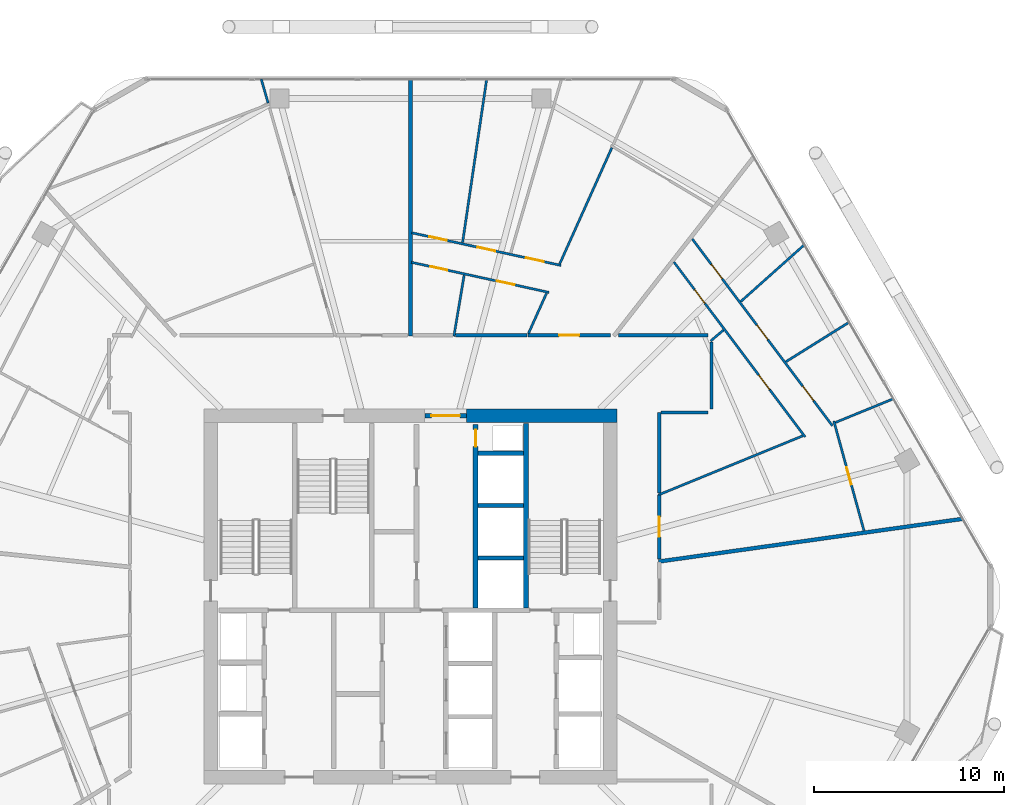
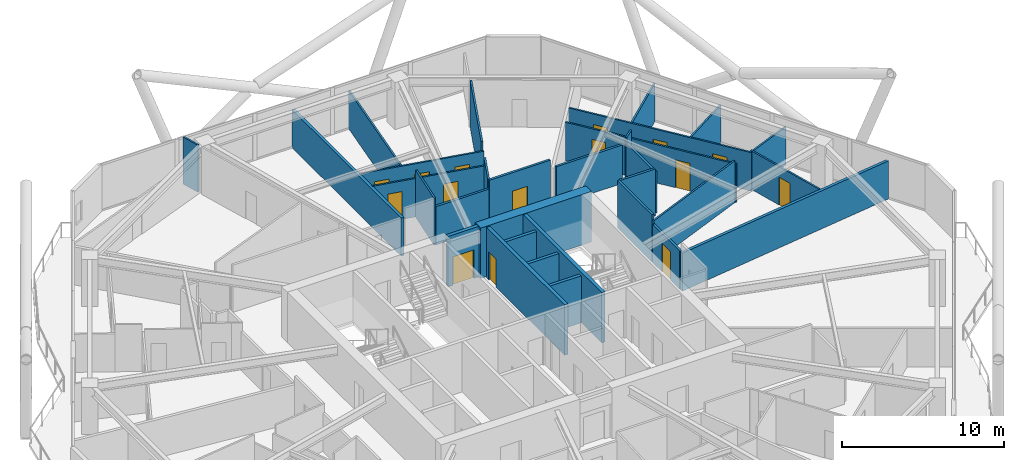
# One storey, part 24 of 28: 31 walls, 15 doors, 15 openings.
"""IFC4 building model written with IfcOpenShell, lengths in metres."""

from ifc_helpers import new_model, si_unit, direction, frame, frame_2d, origin, place, context, subcontext, project, spatial, rectangle, extrude, material, layer, layer_set, type_object, element, fill, save


model = new_model("IFC4")

# Units and contexts
model_context = context("Model", 3, precision=1e-05, world=origin(), true_north=direction((0.0, 1.0)))
body_context = subcontext(model_context, "Body", "Model", "MODEL_VIEW")
ifc_project = project(units=[si_unit("LENGTHUNIT", "METRE"), si_unit("AREAUNIT", "SQUARE_METRE"), si_unit("VOLUMEUNIT", "CUBIC_METRE"), si_unit("PLANEANGLEUNIT", "RADIAN"), si_unit("MASSUNIT", "GRAM", prefix="KILO")], contexts=[model_context])

# Site, building, storey
site_placement = place(None, origin())
site = spatial("IfcSite", under=ifc_project, at=site_placement, CompositionType="ELEMENT")
building_placement = place(site_placement, origin())
building = spatial("IfcBuilding", under=site, at=building_placement, Name="Zuhravey Tower", CompositionType="ELEMENT")
storey_placement = place(building_placement, frame((0.0, 0.0, 154.199951171875)))
storey = spatial("IfcBuildingStorey", under=building, at=storey_placement, Name="L38", CompositionType="ELEMENT", Elevation=154.199951171875)

# Wall
ifc_material_1 = material(Name="Concrete C60/75", Category="concrete")
ifc_layer_1 = layer(ifc_material_1, 0.699951171875)
ifc_layer_set_1 = layer_set([ifc_layer_1], Name="Concrete C60/75")
wall_type_1 = type_object("IfcWallType", Name="Core Shear Wall 700", PredefinedType="SHEAR", material=ifc_layer_set_1)
wall_1_placement = place(storey_placement, frame((46.85009765625, 41.5, 0.0), z_axis=(0.0, 0.0, 1.0), x_axis=(-1.0, 0.0, 0.0)))
element("IfcWall", 1, at=wall_1_placement, inside=storey, type_object=wall_type_1, Name="L38 North-East Core Shear Wall CW70", PredefinedType="SHEAR", context=body_context, shape_type="SweptSolid", body=[
    extrude(rectangle(XDim=7.900146484375, YDim=0.699951171875, at=frame_2d((3.9501953125, 0.0))), origin(), (0.0, 0.0, 1.0), 3.800048828125),
])

# Wall, opening, door
ifc_material_2 = material(Name="Gypsum fire-rated stud partition")
ifc_layer_2 = layer(ifc_material_2, 0.159912109375)
ifc_layer_set_2 = layer_set([ifc_layer_2], Name="Gypsum fire-rated stud partition")
wall_type_2 = type_object("IfcWallType", Name="Corridor Fire Partition 160", PredefinedType="PARTITIONING", material=ifc_layer_set_2)
wall_2_placement = place(storey_placement, frame((49.080078125, 33.97509765625, 0.0), z_axis=(0.0, 0.0, 1.0), x_axis=(0.0, 1.0, 0.0)))
wall_2 = element("IfcWall", 2, at=wall_2_placement, inside=storey, type_object=wall_type_2, Name="L38 IW16 Partition 023", PredefinedType="PARTITIONING", context=body_context, shape_type="SweptSolid", body=[
    extrude(rectangle(XDim=3.357177734375, YDim=0.159912109375, at=frame_2d((1.6787109375, 0.0))), origin(), (0.0, 0.0, 1.0), 2.900146484375),
])
opening_1_placement = place(wall_2_placement, frame((1.153564453125, 0.0, 0.0)))
opening_1 = element("IfcOpeningElement", 3, at=opening_1_placement, cuts=wall_2, Name="Opening APD1", PredefinedType="OPENING", context=body_context, shape_type="SweptSolid", body=[
    extrude(rectangle(XDim=1.050048828125, YDim=2.14990234375, at=frame_2d((0.52490234375, 1.074951171875))), frame((0.0, 0.092041015625, 0.0), z_axis=(0.0, -1.0, 0.0), x_axis=(1.0, 0.0, 0.0)), (0.0, 0.0, 1.0), 0.183837890625),
])
ifc_material_3 = material(Name="Solid-core oak fire-rated leaf")
door_type_1 = type_object("IfcDoorType", Name="Apartment Entrance Fire Door 1050x2150", OperationType="NOTDEFINED", PredefinedType="DOOR", material=ifc_material_3)
door_1_placement = place(opening_1_placement, frame((1.050048828125, 0.0, 0.0), z_axis=(0.0, 0.0, 1.0), x_axis=(-1.0, 0.0, 0.0)))
door_1 = element("IfcDoor", 4, at=door_1_placement, inside=storey, type_object=door_type_1, Name="L38 Door 023.1", OperationType="SINGLE_SWING_RIGHT", OverallHeight=2.14990234375, OverallWidth=1.050048828125, PredefinedType="DOOR", context=body_context, shape_type="SweptSolid", body=[
    extrude(rectangle(XDim=1.050048828125, YDim=2.14990234375, at=frame_2d((0.52490234375, 1.074951171875))), frame((0.0, 0.02490234375, 0.0), z_axis=(0.0, -1.0, 0.0), x_axis=(1.0, 0.0, 0.0)), (0.0, 0.0, 1.0), 0.050048828125),
])
fill(opening_1, door_1)

wall_3_placement = place(storey_placement, frame((46.51025390625, 45.72998046875, 0.0), z_axis=(0.0, 0.0, 1.0), x_axis=(-1.0, 0.0, 0.0)))
wall_3 = element("IfcWall", 5, at=wall_3_placement, inside=storey, type_object=wall_type_2, Name="L38 IW16 Partition 027", PredefinedType="PARTITIONING", context=body_context, shape_type="SweptSolid", body=[
    extrude(rectangle(XDim=4.323486328125, YDim=0.159912109375, at=frame_2d((2.16162109375, 0.0))), origin(), (0.0, 0.0, 1.0), 3.550048828125),
])
opening_2_placement = place(wall_3_placement, frame((1.63671875, 0.0, 0.0)))
opening_2 = element("IfcOpeningElement", 6, at=opening_2_placement, cuts=wall_3, Name="Opening APD1", PredefinedType="OPENING", context=body_context, shape_type="SweptSolid", body=[
    extrude(rectangle(XDim=1.050048828125, YDim=2.14990234375, at=frame_2d((0.52490234375, 1.074951171875))), frame((0.0, 0.092041015625, 0.0), z_axis=(0.0, -1.0, 0.0), x_axis=(1.0, 0.0, 0.0)), (0.0, 0.0, 1.0), 0.183837890625),
])
door_2_placement = place(opening_2_placement, frame((1.050048828125, 0.0, 0.0), z_axis=(0.0, 0.0, 1.0), x_axis=(-1.0, 0.0, 0.0)))
door_2 = element("IfcDoor", 7, at=door_2_placement, inside=storey, type_object=door_type_1, Name="L38 Door 027.1", OperationType="SINGLE_SWING_LEFT", OverallHeight=2.14990234375, OverallWidth=1.050048828125, PredefinedType="DOOR", context=body_context, shape_type="SweptSolid", body=[
    extrude(rectangle(XDim=1.050048828125, YDim=2.14990234375, at=frame_2d((0.52490234375, 1.074951171875))), frame((0.0, 0.02490234375, 0.0), z_axis=(0.0, -1.0, 0.0), x_axis=(1.0, 0.0, 0.0)), (0.0, 0.0, 1.0), 0.050048828125),
])
fill(opening_2, door_2)

# Walls
wall_4_placement = place(storey_placement, frame((49.080078125, 37.42724609375, 0.0), z_axis=(0.0, 0.0, 1.0), x_axis=(0.0, 1.0, 0.0)))
element("IfcWall", 8, at=wall_4_placement, inside=storey, type_object=wall_type_2, Name="L38 IW16 Partition 111", PredefinedType="PARTITIONING", context=body_context, shape_type="SweptSolid", body=[
    extrude(rectangle(XDim=4.24267578125, YDim=0.159912109375, at=frame_2d((2.121337890625, 0.0))), origin(), (0.0, 0.0, 1.0), 3.550048828125),
])
wall_5_placement = place(storey_placement, frame((51.830078125, 41.85009765625, 0.0), z_axis=(0.0, 0.0, 1.0), x_axis=(0.0, 1.0, 0.0)))
element("IfcWall", 9, at=wall_5_placement, inside=storey, type_object=wall_type_2, Name="L38 IW16 Partition 112", PredefinedType="PARTITIONING", context=body_context, shape_type="SweptSolid", body=[
    extrude(rectangle(XDim=3.527587890625, YDim=0.159912109375, at=frame_2d((1.763671875, 0.0))), origin(), (0.0, 0.0, 1.0), 3.150146484375),
])
wall_6_placement = place(storey_placement, frame((49.16796875, 41.669921875, 0.0), z_axis=(0.0, 0.0, 1.0), x_axis=(1.0, 0.0, 0.0)))
element("IfcWall", 10, at=wall_6_placement, inside=storey, type_object=wall_type_2, Name="L38 IW16 Partition 113", PredefinedType="PARTITIONING", context=body_context, shape_type="SweptSolid", body=[
    extrude(rectangle(XDim=2.48193359375, YDim=0.159912109375, at=frame_2d((1.240966796875, 0.0))), origin(), (0.0, 0.0, 1.0), 3.550048828125),
])
wall_7_placement = place(storey_placement, frame((51.64990234375, 45.72998046875, 0.0), z_axis=(0.0, 0.0, 1.0), x_axis=(-1.0, 0.0, 0.0)))
element("IfcWall", 11, at=wall_7_placement, inside=storey, type_object=wall_type_2, Name="L38 IW16 Partition 114", PredefinedType="PARTITIONING", context=body_context, shape_type="SweptSolid", body=[
    extrude(rectangle(XDim=4.702880859375, YDim=0.159912109375, at=frame_2d((2.3515625, 0.0))), origin(), (0.0, 0.0, 1.0), 2.900146484375),
])
wall_8_placement = place(storey_placement, frame((42.142822265625, 45.72998046875, 0.0), z_axis=(0.0, 0.0, 1.0), x_axis=(-1.0, 0.0, 0.0)))
element("IfcWall", 12, at=wall_8_placement, inside=storey, type_object=wall_type_2, Name="L38 IW16 Partition 115", PredefinedType="PARTITIONING", context=body_context, shape_type="SweptSolid", body=[
    extrude(rectangle(XDim=3.776611328125, YDim=0.159912109375, at=frame_2d((1.88818359375, 0.0))), origin(), (0.0, 0.0, 1.0), 2.900146484375),
])

# Wall, opening, door
ifc_material_4 = material(Name="Concrete C50/60", Category="concrete")
ifc_layer_3 = layer(ifc_material_4, 0.25)
ifc_layer_set_3 = layer_set([ifc_layer_3], Name="Concrete C50/60")
wall_type_3 = type_object("IfcWallType", Name="Firefighting Shaft & Stair Wall 250", PredefinedType="SOLIDWALL", material=ifc_layer_set_3)
wall_9_placement = place(storey_placement, frame((36.760009765625, 41.5, 0.0), z_axis=(0.0, 0.0, 1.0), x_axis=(1.0, 0.0, 0.0)))
wall_9 = element("IfcWall", 13, at=wall_9_placement, inside=storey, type_object=wall_type_3, Name="L38 FW25 Shaft Wall 002", PredefinedType="SOLIDWALL", context=body_context, shape_type="SweptSolid", body=[
    extrude(rectangle(XDim=2.179931640625, YDim=0.25, at=frame_2d((1.08984375, 0.0))), origin(), (0.0, 0.0, 1.0), 3.800048828125),
])
opening_3_placement = place(wall_9_placement, frame((0.340087890625, 0.0, 0.0)))
opening_3 = element("IfcOpeningElement", 14, at=opening_3_placement, cuts=wall_9, Name="Opening FFD1", PredefinedType="OPENING", context=body_context, shape_type="SweptSolid", body=[
    extrude(rectangle(XDim=1.5, YDim=2.14990234375, at=frame_2d((0.75, 1.074951171875))), frame((0.0, 0.136962890625, 0.0), z_axis=(0.0, -1.0, 0.0), x_axis=(1.0, 0.0, 0.0)), (0.0, 0.0, 1.0), 0.27392578125),
])
ifc_material_5 = material(Name="Galvanised fire-rated steel leaf", Category="steel")
door_type_2 = type_object("IfcDoorType", Name="Firefighting Lobby Double Door 1500x2150", OperationType="DOUBLE_DOOR_SINGLE_SWING", PredefinedType="DOOR", material=ifc_material_5)
door_3_placement = place(opening_3_placement, origin())
door_3 = element("IfcDoor", 15, at=door_3_placement, inside=storey, type_object=door_type_2, Name="L38 North Lift Lobby Exit Door", OperationType="DOUBLE_DOOR_SINGLE_SWING", OverallHeight=2.14990234375, OverallWidth=1.5, PredefinedType="DOOR", context=body_context, shape_type="SweptSolid", body=[
    extrude(rectangle(XDim=1.5, YDim=2.14990234375, at=frame_2d((0.75, 1.074951171875))), frame((0.0, 0.02490234375, 0.0), z_axis=(0.0, -1.0, 0.0), x_axis=(1.0, 0.0, 0.0)), (0.0, 0.0, 1.0), 0.050048828125),
])
fill(opening_3, door_3)

# Wall
wall_10_placement = place(storey_placement, frame((42.074951171875, 31.39990234375, 0.0), z_axis=(0.0, 0.0, 1.0), x_axis=(0.0, 1.0, 0.0)))
element("IfcWall", 16, at=wall_10_placement, inside=storey, type_object=wall_type_3, Name="L38 FW25 Shaft Wall 006", PredefinedType="SOLIDWALL", context=body_context, shape_type="SweptSolid", body=[
    extrude(rectangle(XDim=9.7001953125, YDim=0.25, at=frame_2d((4.85009765625, 0.0))), origin(), (0.0, 0.0, 1.0), 3.800048828125),
])

# Wall, opening, door
wall_11_placement = place(storey_placement, frame((39.425048828125, 31.39990234375, 0.0), z_axis=(0.0, 0.0, 1.0), x_axis=(0.0, 1.0, 0.0)))
wall_11 = element("IfcWall", 17, at=wall_11_placement, inside=storey, type_object=wall_type_3, Name="L38 FW25 Shaft Wall 008", PredefinedType="SOLIDWALL", context=body_context, shape_type="SweptSolid", body=[
    extrude(rectangle(XDim=9.650146484375, YDim=0.25, at=frame_2d((4.8251953125, 0.0))), origin(), (0.0, 0.0, 1.0), 3.800048828125),
])
opening_4_placement = place(wall_11_placement, frame((8.469970703125, 0.0, 0.0)))
opening_4 = element("IfcOpeningElement", 18, at=opening_4_placement, cuts=wall_11, Name="Opening RSD1", PredefinedType="OPENING", context=body_context, shape_type="SweptSolid", body=[
    extrude(rectangle(XDim=0.89990234375, YDim=2.10009765625, at=frame_2d((0.449951171875, 1.050048828125))), frame((0.0, 0.136962890625, 0.0), z_axis=(0.0, -1.0, 0.0), x_axis=(1.0, 0.0, 0.0)), (0.0, 0.0, 1.0), 0.27392578125),
])
ifc_material_6 = material(Name="Galvanised fire-rated steel access leaf", Category="steel")
door_type_3 = type_object("IfcDoorType", Name="Riser & Shaft Access Fire Door 900x2100", OperationType="NOTDEFINED", PredefinedType="DOOR", material=ifc_material_6)
door_4_placement = place(opening_4_placement, origin())
door_4 = element("IfcDoor", 19, at=door_4_placement, inside=storey, type_object=door_type_3, Name="L38 North Riser Door", OperationType="SINGLE_SWING_RIGHT", OverallHeight=2.10009765625, OverallWidth=0.89990234375, PredefinedType="DOOR", context=body_context, shape_type="SweptSolid", body=[
    extrude(rectangle(XDim=0.89990234375, YDim=2.10009765625, at=frame_2d((0.449951171875, 1.050048828125))), frame((0.0, 0.02490234375, 0.0), z_axis=(0.0, -1.0, 0.0), x_axis=(1.0, 0.0, 0.0)), (0.0, 0.0, 1.0), 0.050048828125),
])
fill(opening_4, door_4)

# Walls
ifc_material_7 = material(Name="Gypsum double-stud party assembly")
ifc_layer_4 = layer(ifc_material_7, 0.199951171875)
ifc_layer_set_4 = layer_set([ifc_layer_4], Name="Gypsum double-stud party assembly")
wall_type_4 = type_object("IfcWallType", Name="Inter-Tenancy Party Wall 200", PredefinedType="PARTITIONING", material=ifc_layer_set_4)
wall_12_placement = place(storey_placement, frame((49.0400390625, 33.832763671875, 0.0), z_axis=(0.0, 0.0, 1.0), x_axis=(0.990268626923, 0.139169129232, 0.0)))
element("IfcWall", 20, at=wall_12_placement, inside=storey, type_object=wall_type_4, Name="L38 IW20 Partition 062", PredefinedType="PARTITIONING", context=body_context, shape_type="SweptSolid", body=[
    extrude(rectangle(XDim=16.14990234375, YDim=0.199951171875, at=frame_2d((8.074951171875, 0.0))), origin(), (0.0, 0.0, 1.0), 2.8701171875),
])
wall_13_placement = place(storey_placement, frame((36.0, 45.68994140625, 0.0), z_axis=(0.0, 0.0, 1.0), x_axis=(0.0, 1.0, 0.0)))
element("IfcWall", 21, at=wall_13_placement, inside=storey, type_object=wall_type_4, Name="L38 IW20 Partition 075", PredefinedType="PARTITIONING", context=body_context, shape_type="SweptSolid", body=[
    extrude(rectangle(XDim=13.4931640625, YDim=0.199951171875, at=frame_2d((6.74658203125, 0.0))), origin(), (0.0, 0.0, 1.0), 2.8701171875),
])
ifc_material_8 = material(Name="Gypsum acoustic stud assembly")
ifc_layer_5 = layer(ifc_material_8, 0.219970703125)
ifc_layer_set_5 = layer_set([ifc_layer_5], Name="Gypsum acoustic stud assembly")
wall_type_5 = type_object("IfcWallType", Name="School Acoustic Compartment Wall 220", PredefinedType="PARTITIONING", material=ifc_layer_set_5)
for number, where, z_axis, x_axis, name in (
    (22, (39.55810546875, 34.02490234375, 0.0), (0.0, 0.0, 1.0), (1.0, 0.0, 0.0), "L38 IW22 Partition 057"),
    (23, (39.55810546875, 36.77490234375, 0.0), (0.0, 0.0, 1.0), (1.0, 0.0, 0.0), "L38 IW22 Partition 058"),
    (24, (39.55810546875, 39.52490234375, 0.0), (0.0, 0.0, 1.0), (1.0, 0.0, 0.0), "L38 IW22 Partition 059"),
):
    element("IfcWall", number, at=place(storey_placement, frame(where, z_axis=z_axis, x_axis=x_axis)), inside=storey, type_object=wall_type_5, Name=name, PredefinedType="PARTITIONING", context=body_context, shape_type="SweptSolid", body=[
        extrude(rectangle(XDim=2.3837890625, YDim=0.219970703125, at=frame_2d((1.19189453125, 0.0))), origin(), (0.0, 0.0, 1.0), 3.550048828125),
    ])

# Wall, opening, door
ifc_material_9 = material(Name="Gypsum metal-stud partition")
ifc_layer_6 = layer(ifc_material_9, 0.1201171875)
ifc_layer_set_6 = layer_set([ifc_layer_6], Name="Gypsum metal-stud partition")
wall_type_6 = type_object("IfcWallType", Name="Unit Internal Partition 120", PredefinedType="PARTITIONING", material=ifc_layer_set_6)
wall_14_placement = place(storey_placement, frame((59.840087890625, 35.4619140625, 0.0), z_axis=(0.0, 0.0, 1.0), x_axis=(-0.265206859365, 0.964191537894, 0.0)))
wall_14 = element("IfcWall", 25, at=wall_14_placement, inside=storey, type_object=wall_type_6, Name="L38 IW12 Partition 020", PredefinedType="PARTITIONING", context=body_context, shape_type="SweptSolid", body=[
    extrude(rectangle(XDim=5.969970703125, YDim=0.1201171875, at=frame_2d((2.98486328125, 0.0))), origin(), (0.0, 0.0, 1.0), 2.900146484375),
])
opening_5_placement = place(wall_14_placement, frame((2.510009765625, 0.0, 0.0)))
opening_5 = element("IfcOpeningElement", 26, at=opening_5_placement, cuts=wall_14, Name="Opening IND1", PredefinedType="OPENING", context=body_context, shape_type="SweptSolid", body=[
    extrude(rectangle(XDim=0.949951171875, YDim=2.10009765625, at=frame_2d((0.47509765625, 1.050048828125))), frame((0.0, 0.072021484375, 0.0), z_axis=(0.0, -1.0, 0.0), x_axis=(1.0, 0.0, 0.0)), (0.0, 0.0, 1.0), 0.14404296875),
])
ifc_material_10 = material(Name="Painted engineered timber leaf", Category="wood")
door_type_4 = type_object("IfcDoorType", Name="Internal Room & Bedroom Door 950x2100", OperationType="NOTDEFINED", PredefinedType="DOOR", material=ifc_material_10)
door_5_placement = place(opening_5_placement, frame((0.949951171875, 0.0, 0.0), z_axis=(0.0, 0.0, 1.0), x_axis=(-1.0, 0.0, 0.0)))
door_5 = element("IfcDoor", 27, at=door_5_placement, inside=storey, type_object=door_type_4, Name="Apartment L38-01 Family Study Door", OperationType="SINGLE_SWING_RIGHT", OverallHeight=2.10009765625, OverallWidth=0.949951171875, PredefinedType="DOOR", context=body_context, shape_type="SweptSolid", body=[
    extrude(rectangle(XDim=0.949951171875, YDim=2.10009765625, at=frame_2d((0.47509765625, 1.050048828125))), frame((0.0, 0.02490234375, 0.0), z_axis=(0.0, -1.0, 0.0), x_axis=(1.0, 0.0, 0.0)), (0.0, 0.0, 1.0), 0.050048828125),
])
fill(opening_5, door_5)

# Wall, openings, doors
wall_15_placement = place(storey_placement, frame((56.748291015625, 40.384521484375, 0.0), z_axis=(0.0, 0.0, 1.0), x_axis=(-0.600156370002, 0.799882698616, 0.0)))
wall_15 = element("IfcWall", 28, at=wall_15_placement, inside=storey, type_object=wall_type_6, Name="L38 IW12 Partition 021", PredefinedType="PARTITIONING", context=body_context, shape_type="SweptSolid", body=[
    extrude(rectangle(XDim=11.490234375, YDim=0.1201171875, at=frame_2d((5.7451171875, 0.0))), origin(), (0.0, 0.0, 1.0), 2.900146484375),
])
opening_6_placement = place(wall_15_placement, frame((3.1123046875, 0.0, 0.0)))
opening_6 = element("IfcOpeningElement", 29, at=opening_6_placement, cuts=wall_15, Name="Opening IND1", PredefinedType="OPENING", context=body_context, shape_type="SweptSolid", body=[
    extrude(rectangle(XDim=0.949951171875, YDim=2.10009765625, at=frame_2d((0.47509765625, 1.050048828125))), frame((0.0, 0.072021484375, 0.0), z_axis=(0.0, -1.0, 0.0), x_axis=(1.0, 0.0, 0.0)), (0.0, 0.0, 1.0), 0.14404296875),
])
opening_7_placement = place(wall_15_placement, frame((8.779052734375, 0.0, 0.0)))
opening_7 = element("IfcOpeningElement", 30, at=opening_7_placement, cuts=wall_15, Name="Opening WCD1", PredefinedType="OPENING", context=body_context, shape_type="SweptSolid", body=[
    extrude(rectangle(XDim=0.89990234375, YDim=2.10009765625, at=frame_2d((0.449951171875, 1.050048828125))), frame((0.0, 0.072021484375, 0.0), z_axis=(0.0, -1.0, 0.0), x_axis=(1.0, 0.0, 0.0)), (0.0, 0.0, 1.0), 0.14404296875),
])
ifc_material_11 = material(Name="Moisture-resistant timber leaf", Category="wood")
door_type_5 = type_object("IfcDoorType", Name="Bathroom & WC Internal Door 900x2100", OperationType="NOTDEFINED", PredefinedType="DOOR", material=ifc_material_11)
door_6_placement = place(opening_7_placement, origin())
door_6 = element("IfcDoor", 31, at=door_6_placement, inside=storey, type_object=door_type_5, Name="Apartment L38-01 Bathroom Door", OperationType="SINGLE_SWING_RIGHT", OverallHeight=2.10009765625, OverallWidth=0.89990234375, PredefinedType="DOOR", context=body_context, shape_type="SweptSolid", body=[
    extrude(rectangle(XDim=0.89990234375, YDim=2.10009765625, at=frame_2d((0.449951171875, 1.050048828125))), frame((0.0, 0.02490234375, 0.0), z_axis=(0.0, -1.0, 0.0), x_axis=(1.0, 0.0, 0.0)), (0.0, 0.0, 1.0), 0.050048828125),
])
fill(opening_7, door_6)
door_7_placement = place(opening_6_placement, origin())
door_7 = element("IfcDoor", 32, at=door_7_placement, inside=storey, type_object=door_type_4, Name="Apartment L38-01 Kitchen Door", OperationType="SINGLE_SWING_LEFT", OverallHeight=2.10009765625, OverallWidth=0.949951171875, PredefinedType="DOOR", context=body_context, shape_type="SweptSolid", body=[
    extrude(rectangle(XDim=0.949951171875, YDim=2.10009765625, at=frame_2d((0.47509765625, 1.050048828125))), frame((0.0, 0.02490234375, 0.0), z_axis=(0.0, -1.0, 0.0), x_axis=(1.0, 0.0, 0.0)), (0.0, 0.0, 1.0), 0.050048828125),
])
fill(opening_6, door_7)

wall_16_placement = place(storey_placement, frame((58.182861328125, 40.9716796875, 0.0), z_axis=(0.0, 0.0, 1.0), x_axis=(-0.600136851624, 0.79989734299, 0.0)))
wall_16 = element("IfcWall", 33, at=wall_16_placement, inside=storey, type_object=wall_type_6, Name="L38 IW12 Partition 022", PredefinedType="PARTITIONING", context=body_context, shape_type="SweptSolid", body=[
    extrude(rectangle(XDim=12.27294921875, YDim=0.1201171875, at=frame_2d((6.136474609375, 0.0))), origin(), (0.0, 0.0, 1.0), 2.900146484375),
])
opening_8_placement = place(wall_16_placement, frame((1.6572265625, 0.0, 0.0)))
opening_8 = element("IfcOpeningElement", 34, at=opening_8_placement, cuts=wall_16, Name="Opening IND1", PredefinedType="OPENING", context=body_context, shape_type="SweptSolid", body=[
    extrude(rectangle(XDim=0.949951171875, YDim=2.10009765625, at=frame_2d((0.47509765625, 1.050048828125))), frame((0.0, 0.072021484375, 0.0), z_axis=(0.0, -1.0, 0.0), x_axis=(1.0, 0.0, 0.0)), (0.0, 0.0, 1.0), 0.14404296875),
])
opening_9_placement = place(wall_16_placement, frame((5.66162109375, 0.0, 0.0)))
opening_9 = element("IfcOpeningElement", 35, at=opening_9_placement, cuts=wall_16, Name="Opening IND1", PredefinedType="OPENING", context=body_context, shape_type="SweptSolid", body=[
    extrude(rectangle(XDim=0.949951171875, YDim=2.10009765625, at=frame_2d((0.47509765625, 1.050048828125))), frame((0.0, 0.072021484375, 0.0), z_axis=(0.0, -1.0, 0.0), x_axis=(1.0, 0.0, 0.0)), (0.0, 0.0, 1.0), 0.14404296875),
])
opening_10_placement = place(wall_16_placement, frame((9.665771484375, 0.0, 0.0)))
opening_10 = element("IfcOpeningElement", 36, at=opening_10_placement, cuts=wall_16, Name="Opening IND1", PredefinedType="OPENING", context=body_context, shape_type="SweptSolid", body=[
    extrude(rectangle(XDim=0.949951171875, YDim=2.10009765625, at=frame_2d((0.47509765625, 1.050048828125))), frame((0.0, 0.072021484375, 0.0), z_axis=(0.0, -1.0, 0.0), x_axis=(1.0, 0.0, 0.0)), (0.0, 0.0, 1.0), 0.14404296875),
])
door_8_placement = place(opening_8_placement, frame((0.949951171875, 0.0, 0.0), z_axis=(0.0, 0.0, 1.0), x_axis=(-1.0, 0.0, 0.0)))
door_8 = element("IfcDoor", 37, at=door_8_placement, inside=storey, type_object=door_type_4, Name="Apartment L38-01 Bedroom 1 Door", OperationType="SINGLE_SWING_LEFT", OverallHeight=2.10009765625, OverallWidth=0.949951171875, PredefinedType="DOOR", context=body_context, shape_type="SweptSolid", body=[
    extrude(rectangle(XDim=0.949951171875, YDim=2.10009765625, at=frame_2d((0.47509765625, 1.050048828125))), frame((0.0, 0.02490234375, 0.0), z_axis=(0.0, -1.0, 0.0), x_axis=(1.0, 0.0, 0.0)), (0.0, 0.0, 1.0), 0.050048828125),
])
fill(opening_8, door_8)
door_9_placement = place(opening_9_placement, frame((0.949951171875, 0.0, 0.0), z_axis=(0.0, 0.0, 1.0), x_axis=(-1.0, 0.0, 0.0)))
door_9 = element("IfcDoor", 38, at=door_9_placement, inside=storey, type_object=door_type_4, Name="Apartment L38-01 Bedroom 2 Door", OperationType="SINGLE_SWING_RIGHT", OverallHeight=2.10009765625, OverallWidth=0.949951171875, PredefinedType="DOOR", context=body_context, shape_type="SweptSolid", body=[
    extrude(rectangle(XDim=0.949951171875, YDim=2.10009765625, at=frame_2d((0.47509765625, 1.050048828125))), frame((0.0, 0.02490234375, 0.0), z_axis=(0.0, -1.0, 0.0), x_axis=(1.0, 0.0, 0.0)), (0.0, 0.0, 1.0), 0.050048828125),
])
fill(opening_9, door_9)
door_10_placement = place(opening_10_placement, frame((0.949951171875, 0.0, 0.0), z_axis=(0.0, 0.0, 1.0), x_axis=(-1.0, 0.0, 0.0)))
door_10 = element("IfcDoor", 39, at=door_10_placement, inside=storey, type_object=door_type_4, Name="Apartment L38-01 Bedroom 3 Door", OperationType="SINGLE_SWING_LEFT", OverallHeight=2.10009765625, OverallWidth=0.949951171875, PredefinedType="DOOR", context=body_context, shape_type="SweptSolid", body=[
    extrude(rectangle(XDim=0.949951171875, YDim=2.10009765625, at=frame_2d((0.47509765625, 1.050048828125))), frame((0.0, 0.02490234375, 0.0), z_axis=(0.0, -1.0, 0.0), x_axis=(1.0, 0.0, 0.0)), (0.0, 0.0, 1.0), 0.050048828125),
])
fill(opening_10, door_10)

wall_17_placement = place(storey_placement, frame((43.28515625, 47.981201171875, 0.0), z_axis=(0.0, 0.0, 1.0), x_axis=(-0.976898726502, 0.213702779952, 0.0)))
wall_17 = element("IfcWall", 40, at=wall_17_placement, inside=storey, type_object=wall_type_6, Name="L38 IW12 Partition 025", PredefinedType="PARTITIONING", context=body_context, shape_type="SweptSolid", body=[
    extrude(rectangle(XDim=7.40283203125, YDim=0.1201171875, at=frame_2d((3.701416015625, 0.0))), origin(), (0.0, 0.0, 1.0), 2.900146484375),
])
opening_11_placement = place(wall_17_placement, frame((1.852783203125, 0.0, 0.0)))
opening_11 = element("IfcOpeningElement", 41, at=opening_11_placement, cuts=wall_17, Name="Opening IND1", PredefinedType="OPENING", context=body_context, shape_type="SweptSolid", body=[
    extrude(rectangle(XDim=0.949951171875, YDim=2.10009765625, at=frame_2d((0.47509765625, 1.050048828125))), frame((0.0, 0.072021484375, 0.0), z_axis=(0.0, -1.0, 0.0), x_axis=(1.0, 0.0, 0.0)), (0.0, 0.0, 1.0), 0.14404296875),
])
opening_12_placement = place(wall_17_placement, frame((5.47705078125, 0.0, 0.0)))
opening_12 = element("IfcOpeningElement", 42, at=opening_12_placement, cuts=wall_17, Name="Opening WCD1", PredefinedType="OPENING", context=body_context, shape_type="SweptSolid", body=[
    extrude(rectangle(XDim=0.89990234375, YDim=2.10009765625, at=frame_2d((0.449951171875, 1.050048828125))), frame((0.0, 0.072021484375, 0.0), z_axis=(0.0, -1.0, 0.0), x_axis=(1.0, 0.0, 0.0)), (0.0, 0.0, 1.0), 0.14404296875),
])
door_11_placement = place(opening_12_placement, origin())
door_11 = element("IfcDoor", 43, at=door_11_placement, inside=storey, type_object=door_type_5, Name="Apartment L38-02 Bathroom Door", OperationType="SINGLE_SWING_LEFT", OverallHeight=2.10009765625, OverallWidth=0.89990234375, PredefinedType="DOOR", context=body_context, shape_type="SweptSolid", body=[
    extrude(rectangle(XDim=0.89990234375, YDim=2.10009765625, at=frame_2d((0.449951171875, 1.050048828125))), frame((0.0, 0.02490234375, 0.0), z_axis=(0.0, -1.0, 0.0), x_axis=(1.0, 0.0, 0.0)), (0.0, 0.0, 1.0), 0.050048828125),
])
fill(opening_12, door_11)
door_12_placement = place(opening_11_placement, origin())
door_12 = element("IfcDoor", 44, at=door_12_placement, inside=storey, type_object=door_type_4, Name="Apartment L38-02 Kitchen Door", OperationType="SINGLE_SWING_RIGHT", OverallHeight=2.10009765625, OverallWidth=0.949951171875, PredefinedType="DOOR", context=body_context, shape_type="SweptSolid", body=[
    extrude(rectangle(XDim=0.949951171875, YDim=2.10009765625, at=frame_2d((0.47509765625, 1.050048828125))), frame((0.0, 0.02490234375, 0.0), z_axis=(0.0, -1.0, 0.0), x_axis=(1.0, 0.0, 0.0)), (0.0, 0.0, 1.0), 0.050048828125),
])
fill(opening_11, door_12)

wall_18_placement = place(storey_placement, frame((43.921142578125, 49.39794921875, 0.0), z_axis=(0.0, 0.0, 1.0), x_axis=(-0.976896253364, 0.213714085082, 0.0)))
wall_18 = element("IfcWall", 45, at=wall_18_placement, inside=storey, type_object=wall_type_6, Name="L38 IW12 Partition 026", PredefinedType="PARTITIONING", context=body_context, shape_type="SweptSolid", body=[
    extrude(rectangle(XDim=8.0400390625, YDim=0.1201171875, at=frame_2d((4.02001953125, 0.0))), origin(), (0.0, 0.0, 1.0), 2.900146484375),
])
opening_13_placement = place(wall_18_placement, frame((0.940185546875, 0.0, 0.0)))
opening_13 = element("IfcOpeningElement", 46, at=opening_13_placement, cuts=wall_18, Name="Opening IND1", PredefinedType="OPENING", context=body_context, shape_type="SweptSolid", body=[
    extrude(rectangle(XDim=0.949951171875, YDim=2.10009765625, at=frame_2d((0.47509765625, 1.050048828125))), frame((0.0, 0.072021484375, 0.0), z_axis=(0.0, -1.0, 0.0), x_axis=(1.0, 0.0, 0.0)), (0.0, 0.0, 1.0), 0.14404296875),
])
opening_14_placement = place(wall_18_placement, frame((3.544921875, 0.0, 0.0)))
opening_14 = element("IfcOpeningElement", 47, at=opening_14_placement, cuts=wall_18, Name="Opening IND1", PredefinedType="OPENING", context=body_context, shape_type="SweptSolid", body=[
    extrude(rectangle(XDim=0.949951171875, YDim=2.10009765625, at=frame_2d((0.47509765625, 1.050048828125))), frame((0.0, 0.072021484375, 0.0), z_axis=(0.0, -1.0, 0.0), x_axis=(1.0, 0.0, 0.0)), (0.0, 0.0, 1.0), 0.14404296875),
])
opening_15_placement = place(wall_18_placement, frame((6.14990234375, 0.0, 0.0)))
opening_15 = element("IfcOpeningElement", 48, at=opening_15_placement, cuts=wall_18, Name="Opening IND1", PredefinedType="OPENING", context=body_context, shape_type="SweptSolid", body=[
    extrude(rectangle(XDim=0.949951171875, YDim=2.10009765625, at=frame_2d((0.47509765625, 1.050048828125))), frame((0.0, 0.072021484375, 0.0), z_axis=(0.0, -1.0, 0.0), x_axis=(1.0, 0.0, 0.0)), (0.0, 0.0, 1.0), 0.14404296875),
])
door_13_placement = place(opening_13_placement, frame((0.949951171875, 0.0, 0.0), z_axis=(0.0, 0.0, 1.0), x_axis=(-1.0, 0.0, 0.0)))
door_13 = element("IfcDoor", 49, at=door_13_placement, inside=storey, type_object=door_type_4, Name="Apartment L38-02 Bedroom 1 Door", OperationType="SINGLE_SWING_RIGHT", OverallHeight=2.10009765625, OverallWidth=0.949951171875, PredefinedType="DOOR", context=body_context, shape_type="SweptSolid", body=[
    extrude(rectangle(XDim=0.949951171875, YDim=2.10009765625, at=frame_2d((0.47509765625, 1.050048828125))), frame((0.0, 0.02490234375, 0.0), z_axis=(0.0, -1.0, 0.0), x_axis=(1.0, 0.0, 0.0)), (0.0, 0.0, 1.0), 0.050048828125),
])
fill(opening_13, door_13)
door_14_placement = place(opening_14_placement, frame((0.949951171875, 0.0, 0.0), z_axis=(0.0, 0.0, 1.0), x_axis=(-1.0, 0.0, 0.0)))
door_14 = element("IfcDoor", 50, at=door_14_placement, inside=storey, type_object=door_type_4, Name="Apartment L38-02 Bedroom 2 Door", OperationType="SINGLE_SWING_LEFT", OverallHeight=2.10009765625, OverallWidth=0.949951171875, PredefinedType="DOOR", context=body_context, shape_type="SweptSolid", body=[
    extrude(rectangle(XDim=0.949951171875, YDim=2.10009765625, at=frame_2d((0.47509765625, 1.050048828125))), frame((0.0, 0.02490234375, 0.0), z_axis=(0.0, -1.0, 0.0), x_axis=(1.0, 0.0, 0.0)), (0.0, 0.0, 1.0), 0.050048828125),
])
fill(opening_14, door_14)
door_15_placement = place(opening_15_placement, frame((0.949951171875, 0.0, 0.0), z_axis=(0.0, 0.0, 1.0), x_axis=(-1.0, 0.0, 0.0)))
door_15 = element("IfcDoor", 51, at=door_15_placement, inside=storey, type_object=door_type_4, Name="Apartment L38-02 Bedroom 3 Door", OperationType="SINGLE_SWING_RIGHT", OverallHeight=2.10009765625, OverallWidth=0.949951171875, PredefinedType="DOOR", context=body_context, shape_type="SweptSolid", body=[
    extrude(rectangle(XDim=0.949951171875, YDim=2.10009765625, at=frame_2d((0.47509765625, 1.050048828125))), frame((0.0, 0.02490234375, 0.0), z_axis=(0.0, -1.0, 0.0), x_axis=(1.0, 0.0, 0.0)), (0.0, 0.0, 1.0), 0.050048828125),
])
fill(opening_15, door_15)

# Walls
wall_19_placement = place(storey_placement, frame((51.780029296875, 45.424560546875, 0.0), z_axis=(0.0, 0.0, 1.0), x_axis=(0.761652645913, 0.647985529911, 0.0)))
element("IfcWall", 52, at=wall_19_placement, inside=storey, type_object=wall_type_6, Name="L38 IW12 Partition 063", PredefinedType="PARTITIONING", context=body_context, shape_type="SweptSolid", body=[
    extrude(rectangle(XDim=0.8828125, YDim=0.1201171875, at=frame_2d((0.44140625, 0.0))), origin(), (0.0, 0.0, 1.0), 3.550048828125),
])
wall_20_placement = place(storey_placement, frame((55.741455078125, 44.339111328125, 0.0), z_axis=(0.0, 0.0, 1.0), x_axis=(0.847998304005, 0.529998940003, 0.0)))
element("IfcWall", 53, at=wall_20_placement, inside=storey, type_object=wall_type_6, Name="L38 IW12 Partition 064", PredefinedType="PARTITIONING", context=body_context, shape_type="SweptSolid", body=[
    extrude(rectangle(XDim=3.92919921875, YDim=0.1201171875, at=frame_2d((1.964599609375, 0.0))), origin(), (0.0, 0.0, 1.0), 2.8701171875),
])
wall_21_placement = place(storey_placement, frame((53.36767578125, 47.5029296875, 0.0), z_axis=(0.0, 0.0, 1.0), x_axis=(0.746002225815, 0.665943450361, 0.0)))
element("IfcWall", 54, at=wall_21_placement, inside=storey, type_object=wall_type_6, Name="L38 IW12 Partition 065", PredefinedType="PARTITIONING", context=body_context, shape_type="SweptSolid", body=[
    extrude(rectangle(XDim=4.494873046875, YDim=0.1201171875, at=frame_2d((2.24755859375, 0.0))), origin(), (0.0, 0.0, 1.0), 2.8701171875),
])
wall_22_placement = place(storey_placement, frame((49.0322265625, 37.334228515625, 0.0), z_axis=(0.0, 0.0, 1.0), x_axis=(0.92547579993, 0.378806736666, 0.0)))
element("IfcWall", 55, at=wall_22_placement, inside=storey, type_object=wall_type_6, Name="L38 IW12 Partition 066", PredefinedType="PARTITIONING", context=body_context, shape_type="SweptSolid", body=[
    extrude(rectangle(XDim=8.199951171875, YDim=0.1201171875, at=frame_2d((4.10009765625, 0.0))), origin(), (0.0, 0.0, 1.0), 3.150146484375),
])
wall_23_placement = place(storey_placement, frame((58.346923828125, 41.14697265625, 0.0), z_axis=(0.0, 0.0, 1.0), x_axis=(0.925495037652, 0.378759732919, 0.0)))
element("IfcWall", 56, at=wall_23_placement, inside=storey, type_object=wall_type_6, Name="L38 IW12 Partition 067", PredefinedType="PARTITIONING", context=body_context, shape_type="SweptSolid", body=[
    extrude(rectangle(XDim=3.29638671875, YDim=0.1201171875, at=frame_2d((1.648193359375, 0.0))), origin(), (0.0, 0.0, 1.0), 2.8701171875),
])
wall_24_placement = place(storey_placement, frame((38.288818359375, 45.679931640625, 0.0), z_axis=(0.0, 0.0, 1.0), x_axis=(0.165019864142, 0.986290243508, 0.0)))
element("IfcWall", 57, at=wall_24_placement, inside=storey, type_object=wall_type_6, Name="L38 IW12 Partition 069", PredefinedType="PARTITIONING", context=body_context, shape_type="SweptSolid", body=[
    extrude(rectangle(XDim=3.251953125, YDim=0.1201171875, at=frame_2d((1.6259765625, 0.0))), origin(), (0.0, 0.0, 1.0), 3.550048828125),
])
wall_25_placement = place(storey_placement, frame((38.744384765625, 50.60009765625, 0.0), z_axis=(0.0, 0.0, 1.0), x_axis=(0.145960873314, 0.989290363574, 0.0)))
element("IfcWall", 58, at=wall_25_placement, inside=storey, type_object=wall_type_6, Name="L38 IW12 Partition 071", PredefinedType="PARTITIONING", context=body_context, shape_type="SweptSolid", body=[
    extrude(rectangle(XDim=8.68603515625, YDim=0.1201171875, at=frame_2d((4.343017578125, 0.0))), origin(), (0.0, 0.0, 1.0), 2.8701171875),
])
wall_26_placement = place(storey_placement, frame((42.204345703125, 45.818115234375, 0.0), z_axis=(0.0, 0.0, 1.0), x_axis=(0.409661727666, 0.91223750684, 0.0)))
element("IfcWall", 59, at=wall_26_placement, inside=storey, type_object=wall_type_6, Name="L38 IW12 Partition 072", PredefinedType="PARTITIONING", context=body_context, shape_type="SweptSolid", body=[
    extrude(rectangle(XDim=2.325439453125, YDim=0.1201171875, at=frame_2d((1.16259765625, 0.0))), origin(), (0.0, 0.0, 1.0), 3.550048828125),
])
wall_27_placement = place(storey_placement, frame((43.849853515625, 49.483154296875, 0.0), z_axis=(0.0, 0.0, 1.0), x_axis=(0.409625724798, 0.912253673922, 0.0)))
element("IfcWall", 60, at=wall_27_placement, inside=storey, type_object=wall_type_6, Name="L38 IW12 Partition 073", PredefinedType="PARTITIONING", context=body_context, shape_type="SweptSolid", body=[
    extrude(rectangle(XDim=6.69140625, YDim=0.1201171875, at=frame_2d((3.345703125, 0.0))), origin(), (0.0, 0.0, 1.0), 3.550048828125),
])
wall_28_placement = place(storey_placement, frame((28.525146484375, 57.931396484375, 0.0), z_axis=(0.0, 0.0, 1.0), x_axis=(-0.277038020614, 0.960858956941, 0.0)))
element("IfcWall", 61, at=wall_28_placement, inside=storey, type_object=wall_type_6, Name="L38 IW12 Partition 077", PredefinedType="PARTITIONING", context=body_context, shape_type="SweptSolid", body=[
    extrude(rectangle(XDim=1.307861328125, YDim=0.1201171875, at=frame_2d((0.65380859375, 0.0))), origin(), (0.0, 0.0, 1.0), 3.550048828125),
])

save(model, "model.ifc")
